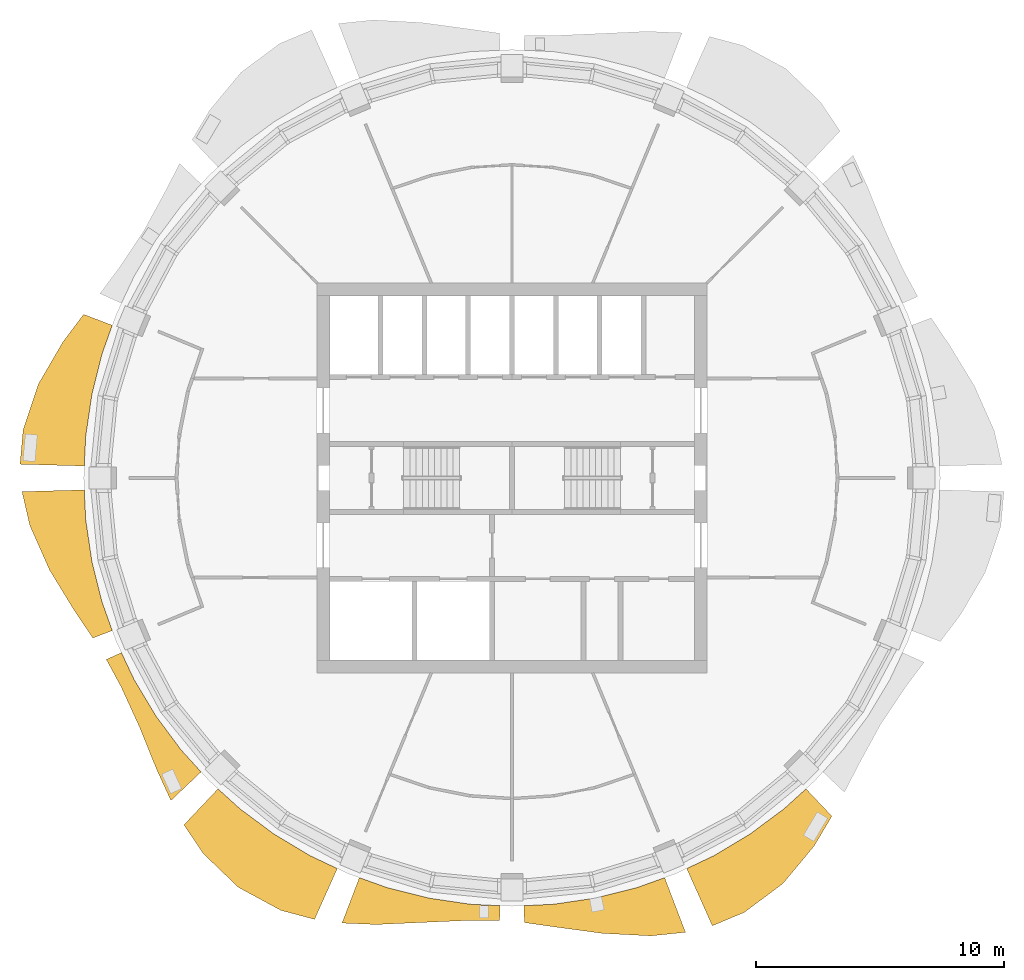
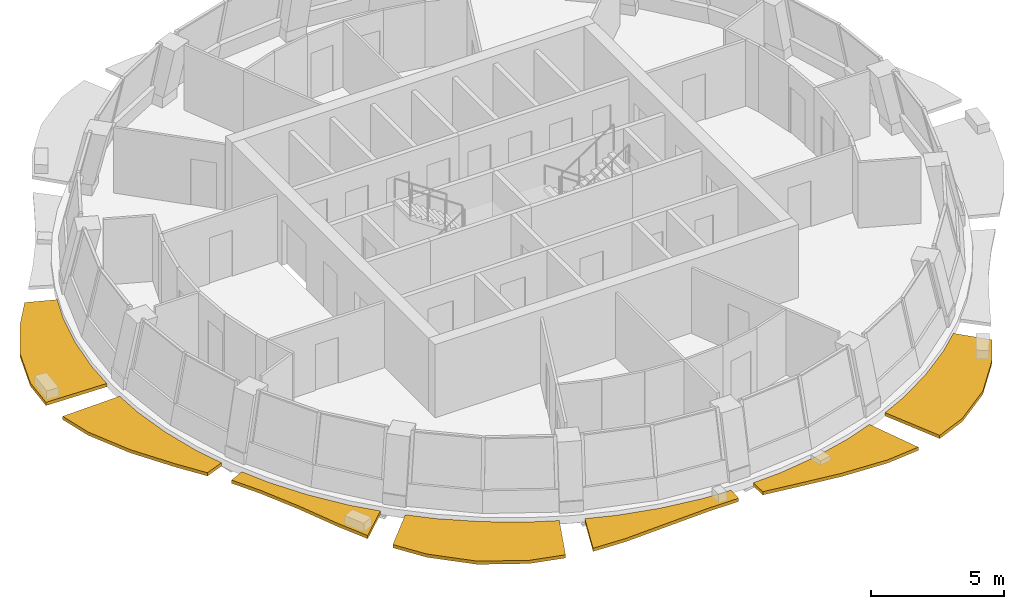
# One storey, part 8 of 11: 7 shading devices.
"""IFC4 building model written with IfcOpenShell, lengths in metres."""

from ifc_helpers import new_model, si_unit, direction, frame, origin, place, context, subcontext, project, spatial, polyline, outline, extrude, material, type_object, element, save


model = new_model("IFC4")

# Units and contexts
model_context = context("Model", 3, precision=1e-05, world=origin(), true_north=direction((0.0, 1.0)))
body_context = subcontext(model_context, "Body", "Model", "MODEL_VIEW")
ifc_project = project(units=[si_unit("LENGTHUNIT", "METRE"), si_unit("AREAUNIT", "SQUARE_METRE"), si_unit("VOLUMEUNIT", "CUBIC_METRE"), si_unit("PLANEANGLEUNIT", "RADIAN"), si_unit("MASSUNIT", "GRAM", prefix="KILO")], contexts=[model_context])

# Site, building, storey
site_placement = place(None, origin())
site = spatial("IfcSite", under=ifc_project, at=site_placement, CompositionType="ELEMENT")
building_placement = place(site_placement, origin())
building = spatial("IfcBuilding", under=site, at=building_placement, Name="Polderwave Tower", CompositionType="ELEMENT")
storey_placement = place(building_placement, frame((0.0, 0.0, 204.39990234375)))
storey = spatial("IfcBuildingStorey", under=building, at=storey_placement, Name="L55", CompositionType="ELEMENT", Elevation=204.39990234375)

# Shading devices
ifc_material = material(Name="Terracotta", Category="masonry")
shading_device_type = type_object("IfcShadingDeviceType", Name="Terracotta sunshade band", PredefinedType="USERDEFINED", material=ifc_material)
shading_device_1_placement = place(storey_placement, frame((0.0, 0.0, -0.349853515625)))
element("IfcShadingDevice", 1, at=shading_device_1_placement, inside=storey, type_object=shading_device_type, Name="Sunshade band L55 8", ObjectType="SUNSHADE", PredefinedType="USERDEFINED", context=body_context, shape_type="SweptSolid", body=[
    extrude(outline(polyline([(-16.145751953125, 6.166015625), (-16.55517578125, 5.02197265625), (-16.967529296875, 3.375), (-17.216796875, 1.69580078125), (-17.2763671875, 0.482177734375), (-19.8720703125, 0.554443359375), (-19.74658203125, 1.94482421875), (-19.12255859375, 3.8037109375), (-18.135009765625, 5.501220703125), (-17.302001953125, 6.607666015625), (-16.145751953125, 6.166015625)])), origin(), (0.0, 0.0, 1.0), 0.14990234375),
])
shading_device_2_placement = place(storey_placement, frame((0.0, 0.0, -0.349853515625)))
element("IfcShadingDevice", 2, at=shading_device_2_placement, inside=storey, type_object=shading_device_type, Name="Sunshade band L55 9", ObjectType="SUNSHADE", PredefinedType="USERDEFINED", context=body_context, shape_type="SweptSolid", body=[
    extrude(outline(polyline([(-17.2763671875, -0.482177734375), (-17.216796875, -1.69580078125), (-16.967529296875, -3.375), (-16.55517578125, -5.02197265625), (-16.145751953125, -6.166015625), (-16.92919921875, -6.465087890625), (-17.67529296875, -5.36181640625), (-18.678955078125, -3.715576171875), (-19.475830078125, -1.918212890625), (-19.79052734375, -0.55224609375), (-17.2763671875, -0.482177734375)])), origin(), (0.0, 0.0, 1.0), 0.14990234375),
])
shading_device_3_placement = place(storey_placement, frame((0.0, 0.0, -0.349853515625)))
element("IfcShadingDevice", 3, at=shading_device_3_placement, inside=storey, type_object=shading_device_type, Name="Sunshade band L55 10", ObjectType="SUNSHADE", PredefinedType="USERDEFINED", context=body_context, shape_type="SweptSolid", body=[
    extrude(outline(polyline([(-15.77685546875, -7.056640625), (-15.257080078125, -8.1552734375), (-14.384521484375, -9.611328125), (-13.373046875, -10.97509765625), (-12.55712890625, -11.875244140625), (-13.777587890625, -13.029541015625), (-14.350830078125, -11.77734375), (-15.0478515625, -10.0546875), (-15.78759765625, -8.438720703125), (-16.386474609375, -7.32958984375), (-15.77685546875, -7.056640625)])), origin(), (0.0, 0.0, 1.0), 0.14990234375),
])
shading_device_4_placement = place(storey_placement, frame((0.0, 0.0, -0.349853515625)))
element("IfcShadingDevice", 4, at=shading_device_4_placement, inside=storey, type_object=shading_device_type, Name="Sunshade band L55 11", ObjectType="SUNSHADE", PredefinedType="USERDEFINED", context=body_context, shape_type="SweptSolid", body=[
    extrude(outline(polyline([(-11.875244140625, -12.55712890625), (-10.97509765625, -13.373046875), (-9.611328125, -14.384521484375), (-8.1552734375, -15.257080078125), (-7.056640625, -15.77685546875), (-7.974853515625, -17.8291015625), (-9.335205078125, -17.46484375), (-11.050048828125, -16.53759765625), (-12.4609375, -15.18359375), (-13.25146484375, -14.01220703125), (-11.875244140625, -12.55712890625)])), origin(), (0.0, 0.0, 1.0), 0.14990234375),
])
shading_device_5_placement = place(storey_placement, frame((0.0, 0.0, -0.349853515625)))
element("IfcShadingDevice", 5, at=shading_device_5_placement, inside=storey, type_object=shading_device_type, Name="Sunshade band L55 12", ObjectType="SUNSHADE", PredefinedType="USERDEFINED", context=body_context, shape_type="SweptSolid", body=[
    extrude(outline(polyline([(-6.166015625, -16.145751953125), (-5.02197265625, -16.55517578125), (-3.375, -16.967529296875), (-1.69580078125, -17.216796875), (-0.482177734375, -17.2763671875), (-0.498779296875, -17.87939453125), (-1.76025390625, -17.871337890625), (-3.57080078125, -17.951171875), (-5.4716796875, -18.037353515625), (-6.8662109375, -17.97900390625), (-6.166015625, -16.145751953125)])), origin(), (0.0, 0.0, 1.0), 0.14990234375),
])
shading_device_6_placement = place(storey_placement, frame((0.0, 0.0, -0.349853515625)))
element("IfcShadingDevice", 6, at=shading_device_6_placement, inside=storey, type_object=shading_device_type, Name="Sunshade band L55 13", ObjectType="SUNSHADE", PredefinedType="USERDEFINED", context=body_context, shape_type="SweptSolid", body=[
    extrude(outline(polyline([(0.482177734375, -17.2763671875), (1.69580078125, -17.216796875), (3.375, -16.967529296875), (5.02197265625, -16.55517578125), (6.166015625, -16.145751953125), (7.00830078125, -18.3515625), (5.611083984375, -18.496826171875), (3.658935546875, -18.394775390625), (1.786865234375, -18.14208984375), (0.501220703125, -17.960693359375), (0.482177734375, -17.2763671875)])), origin(), (0.0, 0.0, 1.0), 0.14990234375),
])
shading_device_7_placement = place(storey_placement, frame((0.0, 0.0, -0.349853515625)))
element("IfcShadingDevice", 7, at=shading_device_7_placement, inside=storey, type_object=shading_device_type, Name="Sunshade band L55 14", ObjectType="SUNSHADE", PredefinedType="USERDEFINED", context=body_context, shape_type="SweptSolid", body=[
    extrude(outline(polyline([(7.056640625, -15.77685546875), (8.1552734375, -15.257080078125), (9.611328125, -14.384521484375), (10.97509765625, -13.373046875), (11.875244140625, -12.55712890625), (12.919921875, -13.66162109375), (12.20263671875, -14.868896484375), (10.94580078125, -16.381591796875), (9.380126953125, -17.549072265625), (8.090576171875, -18.088134765625), (7.056640625, -15.77685546875)])), origin(), (0.0, 0.0, 1.0), 0.14990234375),
])

save(model, "model.ifc")
